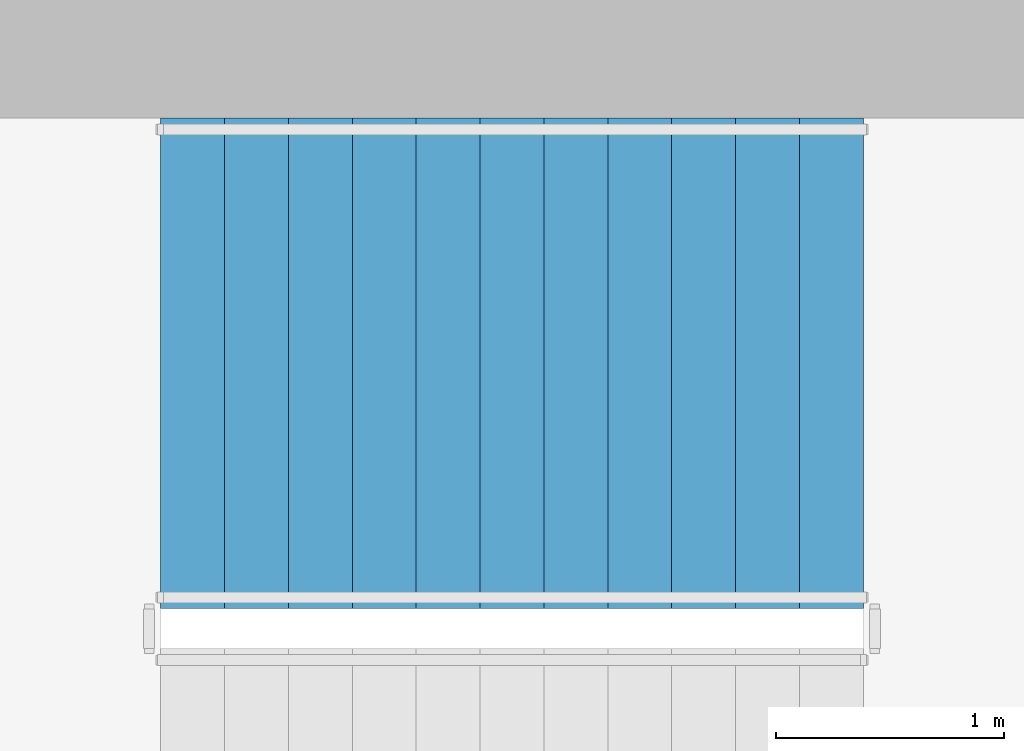
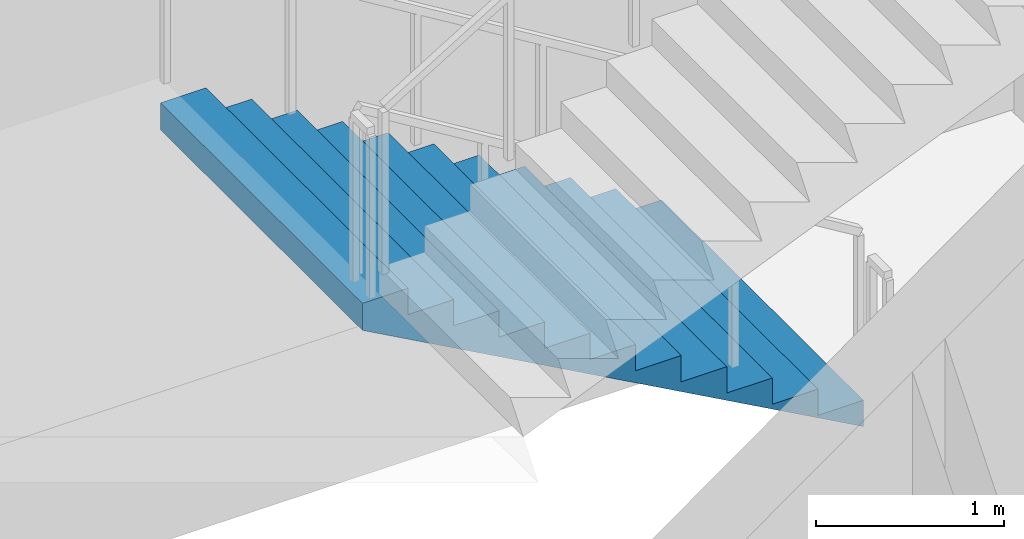
# One storey, part 9 of 15: 1 stair flight, 1 element without a shape of its own.
"""IFC4 building model written with IfcOpenShell, lengths in metres."""

from ifc_helpers import new_model, si_unit, direction, frame, origin, place, context, subcontext, project, spatial, triangles, material, type_object, element, aggregate, save


model = new_model("IFC4")

# Units and contexts
model_context = context("Model", 3, precision=1e-05, world=origin(), true_north=direction((0.0, 1.0)))
body_context = subcontext(model_context, "Body", "Model", "MODEL_VIEW")
ifc_project = project(units=[si_unit("LENGTHUNIT", "METRE"), si_unit("AREAUNIT", "SQUARE_METRE"), si_unit("VOLUMEUNIT", "CUBIC_METRE"), si_unit("PLANEANGLEUNIT", "RADIAN"), si_unit("MASSUNIT", "GRAM", prefix="KILO")], contexts=[model_context])

# Site, building, storey
site_placement = place(None, origin())
site = spatial("IfcSite", under=ifc_project, at=site_placement, CompositionType="ELEMENT")
building_placement = place(site_placement, origin())
building = spatial("IfcBuilding", under=site, at=building_placement, Name="Cypress Arch Tower", CompositionType="ELEMENT")
storey_placement = place(building_placement, frame((0.0, 0.0, 164.60009765625)))
storey = spatial("IfcBuildingStorey", under=building, at=storey_placement, Name="L35", CompositionType="ELEMENT", Elevation=164.60009765625)

# Stair, stair flight
ifc_material_1 = material(Name="Concrete C40/50", Category="concrete")
stair_type = type_object("IfcStairType", Name="Exit stair ES1708-215", PredefinedType="HALF_TURN_STAIR", material=ifc_material_1)
stair_placement = place(storey_placement, origin())
stair = element("IfcStair", 1, at=stair_placement, inside=storey, type_object=stair_type, Name="L35 Exit stair B", PredefinedType="HALF_TURN_STAIR")
ifc_material_2 = material(Name="Concrete C40/50", Category="concrete")
stair_flight_type = type_object("IfcStairFlightType", Name="Exit stair flight ES1708-215", PredefinedType="STRAIGHT", material=ifc_material_2)
stair_flight_placement = place(storey_placement, frame((-22.27490234375, 13.72509765625, 0.0), z_axis=(0.0, 0.0, 1.0), x_axis=(-1.0, 0.0, 0.0)))
stair_flight = element("IfcStairFlight", 2, at=stair_flight_placement, type_object=stair_flight_type, Name="B flight 1", NumberOfRisers=12, NumberOfTreads=11, PredefinedType="STRAIGHT", RiserHeight=0.170833333, TreadLength=0.28, context=body_context, shape_type="Tessellation", body=[
    triangles([(0.0, -1.074951171875, 0.0), (0.000244140625, -1.074951171875, 0.01904296875), (0.000244140625, -1.074951171875, 0.0380859375), (0.00048828125, -1.074951171875, 0.056884765625), (0.00048828125, -1.074951171875, 0.075927734375), (0.00048828125, -1.074951171875, 0.094970703125), (0.00048828125, -1.074951171875, 0.114013671875), (0.000244140625, -1.074951171875, 0.1328125), (0.000244140625, -1.074951171875, 0.15185546875), (0.0, -1.074951171875, 0.1708984375), (0.280029296875, -1.074951171875, 0.1708984375), (0.280029296875, -1.074951171875, 0.341552734375), (0.56005859375, -1.074951171875, 0.341552734375), (0.56005859375, -1.074951171875, 0.512451171875), (0.840087890625, -1.074951171875, 0.512451171875), (0.840087890625, -1.074951171875, 0.683349609375), (1.1201171875, -1.074951171875, 0.683349609375), (1.1201171875, -1.074951171875, 0.854248046875), (1.39990234375, -1.074951171875, 0.854248046875), (1.39990234375, -1.074951171875, 1.02490234375), (1.679931640625, -1.074951171875, 1.02490234375), (1.679931640625, -1.074951171875, 1.19580078125), (1.9599609375, -1.074951171875, 1.19580078125), (1.9599609375, -1.074951171875, 1.36669921875), (2.239990234375, -1.074951171875, 1.36669921875), (2.239990234375, -1.074951171875, 1.53759765625), (2.52001953125, -1.074951171875, 1.53759765625), (2.52001953125, -1.074951171875, 1.708251953125), (2.800048828125, -1.074951171875, 1.708251953125), (2.800048828125, -1.074951171875, 1.879150390625), (3.080078125, -1.074951171875, 1.879150390625), (3.079833984375, -1.074951171875, 1.859619140625), (3.079833984375, -1.074951171875, 1.840087890625), (3.07958984375, -1.074951171875, 1.820556640625), (3.07958984375, -1.074951171875, 1.801025390625), (3.07958984375, -1.074951171875, 1.78173828125), (3.07958984375, -1.074951171875, 1.76220703125), (3.079833984375, -1.074951171875, 1.74267578125), (3.079833984375, -1.074951171875, 1.72314453125), (3.080078125, -1.074951171875, 1.70361328125), (3.080078125, 1.074951171875, 1.70361328125), (3.079833984375, 1.074951171875, 1.72314453125), (3.079833984375, 1.074951171875, 1.74267578125), (3.07958984375, 1.074951171875, 1.76220703125), (3.07958984375, 1.074951171875, 1.78173828125), (3.07958984375, 1.074951171875, 1.801025390625), (3.07958984375, 1.074951171875, 1.820556640625), (3.079833984375, 1.074951171875, 1.840087890625), (3.079833984375, 1.074951171875, 1.859619140625), (3.080078125, 1.074951171875, 1.879150390625), (2.800048828125, 1.074951171875, 1.879150390625), (2.800048828125, 1.074951171875, 1.708251953125), (2.52001953125, 1.074951171875, 1.708251953125), (2.52001953125, 1.074951171875, 1.53759765625), (2.239990234375, 1.074951171875, 1.53759765625), (2.239990234375, 1.074951171875, 1.36669921875), (1.9599609375, 1.074951171875, 1.36669921875), (1.9599609375, 1.074951171875, 1.19580078125), (1.679931640625, 1.074951171875, 1.19580078125), (1.679931640625, 1.074951171875, 1.02490234375), (1.39990234375, 1.074951171875, 1.02490234375), (1.39990234375, 1.074951171875, 0.854248046875), (1.1201171875, 1.074951171875, 0.854248046875), (1.1201171875, 1.074951171875, 0.683349609375), (0.840087890625, 1.074951171875, 0.683349609375), (0.840087890625, 1.074951171875, 0.512451171875), (0.56005859375, 1.074951171875, 0.512451171875), (0.56005859375, 1.074951171875, 0.341552734375), (0.280029296875, 1.074951171875, 0.341552734375), (0.280029296875, 1.074951171875, 0.1708984375), (0.0, 1.074951171875, 0.1708984375), (0.000244140625, 1.074951171875, 0.15185546875), (0.000244140625, 1.074951171875, 0.1328125), (0.00048828125, 1.074951171875, 0.114013671875), (0.00048828125, 1.074951171875, 0.094970703125), (0.00048828125, 1.074951171875, 0.075927734375), (0.00048828125, 1.074951171875, 0.056884765625), (0.000244140625, 1.074951171875, 0.0380859375), (0.000244140625, 1.074951171875, 0.01904296875), (0.0, 1.074951171875, 0.0)], [[40, 39, 30], [39, 38, 30], [38, 37, 30], [37, 36, 30], [36, 35, 30], [35, 34, 30], [34, 33, 30], [33, 32, 30], [32, 31, 30], [19, 18, 17], [27, 26, 25], [25, 24, 23], [23, 22, 21], [17, 16, 15], [15, 14, 13], [10, 9, 11], [9, 8, 11], [8, 7, 11], [7, 6, 11], [6, 5, 11], [5, 4, 11], [4, 3, 11], [3, 2, 11], [2, 1, 11], [29, 28, 27], [21, 20, 19], [13, 12, 11], [40, 30, 29], [40, 29, 27], [40, 27, 25], [40, 25, 23], [40, 23, 21], [40, 21, 19], [40, 19, 17], [40, 17, 15], [40, 15, 13], [1, 40, 13], [13, 11, 1], [41, 51, 42], [42, 51, 43], [43, 51, 44], [44, 51, 45], [45, 51, 46], [46, 51, 47], [47, 51, 48], [48, 51, 49], [49, 51, 50], [62, 64, 63], [54, 56, 55], [56, 58, 57], [58, 60, 59], [64, 66, 65], [66, 68, 67], [71, 70, 72], [72, 70, 73], [73, 70, 74], [74, 70, 75], [75, 70, 76], [76, 70, 77], [77, 70, 78], [78, 70, 79], [79, 70, 80], [52, 54, 53], [60, 62, 61], [68, 70, 69], [41, 52, 51], [41, 54, 52], [41, 56, 54], [41, 58, 56], [41, 60, 58], [41, 62, 60], [41, 64, 62], [41, 66, 64], [41, 68, 66], [80, 68, 41], [68, 80, 70], [41, 42, 39], [41, 39, 40], [42, 43, 38], [42, 38, 39], [43, 44, 37], [43, 37, 38], [44, 45, 36], [44, 36, 37], [45, 46, 35], [45, 35, 36], [46, 47, 34], [46, 34, 35], [47, 48, 33], [47, 33, 34], [48, 49, 32], [48, 32, 33], [49, 50, 31], [49, 31, 32], [50, 51, 30], [50, 30, 31], [51, 52, 29], [51, 29, 30], [52, 53, 28], [52, 28, 29], [53, 54, 27], [53, 27, 28], [54, 55, 26], [54, 26, 27], [55, 56, 25], [55, 25, 26], [56, 57, 24], [56, 24, 25], [57, 58, 23], [57, 23, 24], [58, 59, 22], [58, 22, 23], [59, 60, 21], [59, 21, 22], [60, 61, 20], [60, 20, 21], [61, 62, 19], [61, 19, 20], [62, 63, 18], [62, 18, 19], [63, 64, 17], [63, 17, 18], [64, 65, 16], [64, 16, 17], [65, 66, 15], [65, 15, 16], [66, 67, 14], [66, 14, 15], [67, 68, 13], [67, 13, 14], [68, 69, 12], [68, 12, 13], [69, 70, 11], [69, 11, 12], [70, 71, 10], [70, 10, 11], [71, 72, 9], [71, 9, 10], [72, 73, 8], [72, 8, 9], [73, 74, 7], [73, 7, 8], [74, 75, 6], [74, 6, 7], [75, 76, 5], [75, 5, 6], [76, 77, 4], [76, 4, 5], [77, 78, 3], [77, 3, 4], [78, 79, 2], [78, 2, 3], [79, 80, 1], [79, 1, 2], [80, 41, 40], [80, 40, 1]], closed=True),
])
aggregate(stair, [stair_flight])

save(model, "model.ifc")
